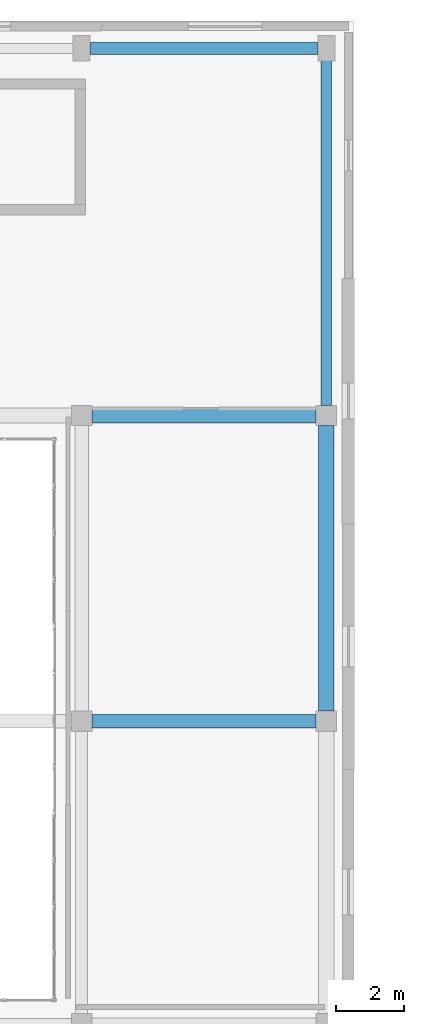
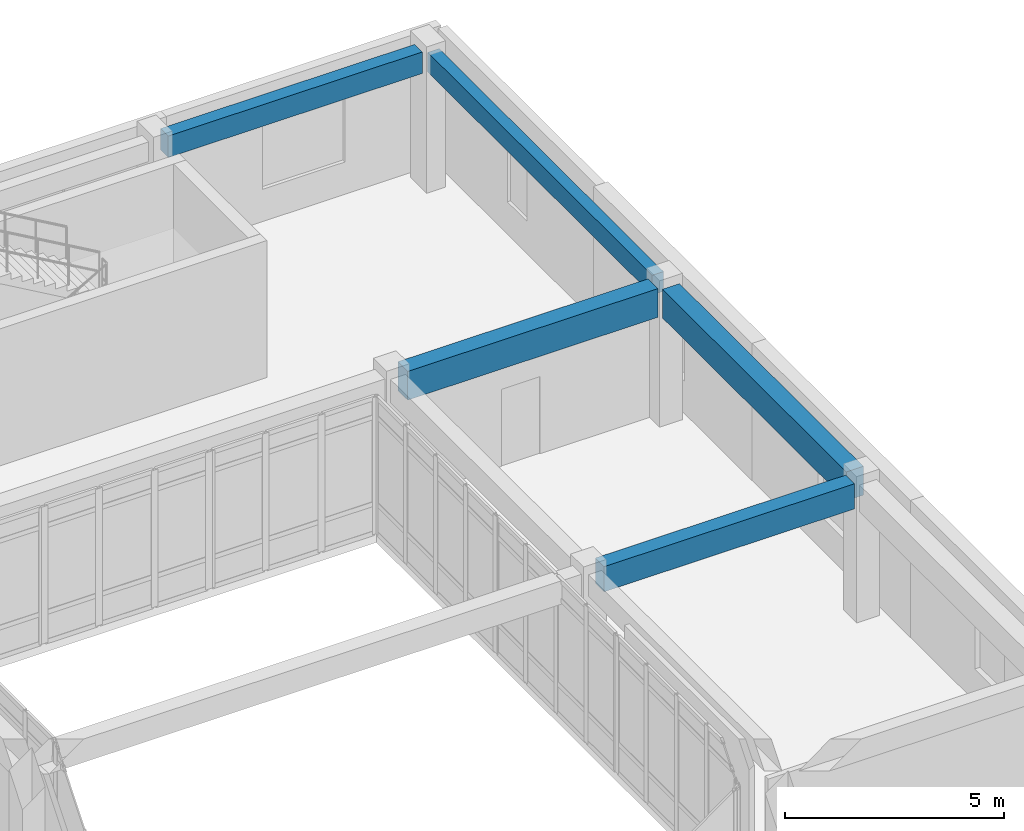
# One storey, part 110 of 146: 5 beams.
"""IFC4 building model written with IfcOpenShell, lengths in metres."""

import ifcopenshell
import ifcopenshell.guid

model = None  # the IFC model being written
_history = None  # IfcOwnerHistory: only IFC2X3 demands one
_inside = {}  # id of a spatial element -> (the spatial element, [elements in it])
_under = {}  # id of a project, library or spatial element -> (it, [spatial elements below it])
_declared = {}  # id of a project -> (the project, [libraries it declares])
_typed = {}  # id of a type object -> (the type object, [elements of that type])
_made_of = {}  # id of a material, layer set ... -> (it, [elements and type objects made of it])


def new_model(schema):
    """Start an empty IFC model of exactly this schema.

    Asked for "IFC4X3", IfcOpenShell would pick the latest addendum, in which some entities
    have other attributes; the version numbers below select the first issue.
    IFC2X3 requires an IfcOwnerHistory on every rooted entity: one is made here for all.
    """
    global model, _history
    if schema == "IFC4X3":
        model = ifcopenshell.file(schema_version=(4, 3, 0, 0))
    else:
        model = ifcopenshell.file(schema=schema)
    _inside.clear()
    _under.clear()
    _declared.clear()
    _typed.clear()
    _made_of.clear()
    _history = None
    if model.schema == "IFC2X3":
        org = make("IfcOrganization", Name="unknown")
        user = make(
            "IfcPersonAndOrganization",
            ThePerson=make("IfcPerson", FamilyName="unknown"),
            TheOrganization=org,
        )
        app = make(
            "IfcApplication",
            ApplicationDeveloper=org,
            Version="unknown",
            ApplicationFullName="unknown",
            ApplicationIdentifier="unknown",
        )
        _history = make(
            "IfcOwnerHistory",
            OwningUser=user,
            OwningApplication=app,
            ChangeAction="ADDED",
            CreationDate=0,
        )
    return model


def make(cls, **values):
    """One entity of the class cls with the attributes given. An attribute that is None is left unset."""
    return model.create_entity(
        cls, **{name: value for name, value in values.items() if value is not None}
    )


def rooted(cls, **values):
    """An entity with a GlobalId (a new one), such as an element, a storey or a relation."""
    return make(cls, GlobalId=ifcopenshell.guid.new(), OwnerHistory=_history, **values)


def si_unit(unit_type, name, prefix=None):
    """IfcSIUnit, for example si_unit("LENGTHUNIT", "METRE", prefix="MILLI")."""
    return make("IfcSIUnit", UnitType=unit_type, Prefix=prefix, Name=name)


def assignment(units):
    """IfcUnitAssignment: the units of a project."""
    return None if units is None else make("IfcUnitAssignment", Units=units)


def point(xyz):
    """IfcCartesianPoint."""
    return None if xyz is None else make("IfcCartesianPoint", Coordinates=xyz)


def direction(xyz):
    """IfcDirection."""
    return None if xyz is None else make("IfcDirection", DirectionRatios=xyz)


def frame(location, z_axis=None, x_axis=None):
    """IfcAxis2Placement3D, a coordinate frame: its origin and axes. An axis left out is left unset."""
    return make(
        "IfcAxis2Placement3D",
        Location=point(location),
        Axis=direction(z_axis),
        RefDirection=direction(x_axis),
    )


def frame_2d(location, x_axis=None):
    """IfcAxis2Placement2D, a coordinate frame in the plane: its origin and x axis."""
    return make(
        "IfcAxis2Placement2D", Location=point(location), RefDirection=direction(x_axis)
    )


def origin():
    """The frame at (0, 0, 0) with its axes left unset."""
    return frame((0.0, 0.0, 0.0))


def origin_2d():
    """The frame at (0, 0) in the plane with its x axis left unset."""
    return frame_2d((0.0, 0.0))


def place(relative_to, where):
    """IfcLocalPlacement: puts the frame where relative to a parent placement (None: the world)."""
    return make(
        "IfcLocalPlacement", PlacementRelTo=relative_to, RelativePlacement=where
    )


def context(
    kind, dimensions, precision=None, world=None, true_north=None, identifier=None
):
    """IfcGeometricRepresentationContext, for example the 3D "Model" context."""
    return make(
        "IfcGeometricRepresentationContext",
        ContextIdentifier=identifier,
        ContextType=kind,
        CoordinateSpaceDimension=dimensions,
        Precision=precision,
        WorldCoordinateSystem=world,
        TrueNorth=true_north,
    )


def subcontext(parent, identifier, kind, view, scale=None):
    """IfcGeometricRepresentationSubContext, for example "Body" below "Model"."""
    return make(
        "IfcGeometricRepresentationSubContext",
        ContextIdentifier=identifier,
        ContextType=kind,
        ParentContext=parent,
        TargetScale=scale,
        TargetView=view,
    )


def project(units=None, contexts=None):
    """IfcProject with its units and contexts."""
    return rooted(
        "IfcProject",
        Name="project",
        RepresentationContexts=contexts,
        UnitsInContext=assignment(units),
    )


def spatial(cls, under=None, at=None, **own):
    """A site, building, storey or space (cls), placed at a placement, below another one or the project."""
    s = rooted(cls, ObjectPlacement=at, **own)
    if under is not None:
        _under.setdefault(under.id(), (under, []))[1].append(s)
    return s


def profile(cls, at=None, kind="AREA", **sizes):
    """A parametric profile (cls). Its sizes go by their IFC names, for example OverallWidth=200.0."""
    return make(cls, ProfileType=kind, Position=at, **sizes)


def rectangle(**sizes):
    """IfcRectangleProfileDef."""
    return profile("IfcRectangleProfileDef", **sizes)


def extrude(swept, where, along, depth):
    """IfcExtrudedAreaSolid: the profile swept, set in the frame where, extruded along a direction by depth."""
    return make(
        "IfcExtrudedAreaSolid",
        SweptArea=swept,
        Position=where,
        ExtrudedDirection=direction(along),
        Depth=depth,
    )


def shape(context_of_items, identifier, shape_type, items):
    """IfcShapeRepresentation: the items that make up one representation, for example the "Body"."""
    return make(
        "IfcShapeRepresentation",
        ContextOfItems=context_of_items,
        RepresentationIdentifier=identifier,
        RepresentationType=shape_type,
        Items=items,
    )


def material(Name=None, Category=None):
    """IfcMaterial."""
    return make("IfcMaterial", Name=Name, Category=Category)


def material_profile(
    of_material, cross_section, Name=None, Category=None, Priority=None
):
    """IfcMaterialProfile: a cross section and its material."""
    return make(
        "IfcMaterialProfile",
        Name=Name,
        Material=of_material,
        Profile=cross_section,
        Priority=Priority,
        Category=Category,
    )


def profile_set(profiles, Name=None, composite=None):
    """IfcMaterialProfileSet."""
    return make(
        "IfcMaterialProfileSet",
        Name=Name,
        MaterialProfiles=profiles,
        CompositeProfile=composite,
    )


def made_of(thing, what):
    """Note that an element or type object is made of a material, layer set ...; save() writes the relation."""
    if what is not None:
        _made_of.setdefault(what.id(), (what, []))[1].append(thing)
    return thing


def type_object(cls, material=None, **own):
    """A type object (cls), such as IfcWallType, which elements share."""
    return made_of(rooted(cls, **own), material)


def element(
    cls,
    number,
    at=None,
    inside=None,
    cuts=None,
    type_object=None,
    material=None,
    context=None,
    identifier="Body",
    shape_type=None,
    held_by="IfcProductDefinitionShape",
    body=None,
    shapes=None,
    **own,
):
    """One element of the class cls, such as IfcWall. Its Tag is "e" and its number.

    at: its placement. inside: the storey or other place that contains it. cuts: it is an
    opening in that element (IfcRelVoidsElement). A single representation is given by context,
    identifier, shape_type and body (its items); several are given by shapes. held_by: the class
    of the entity that holds the representations. save() writes the other relations.
    """
    e = rooted(cls, Tag="e%d" % number, ObjectPlacement=at, **own)
    if body is not None:
        shapes = [shape(context, identifier, shape_type, body)]
    if shapes is not None:
        e.Representation = make(held_by, Representations=shapes)
    if inside is not None:
        _inside.setdefault(inside.id(), (inside, []))[1].append(e)
    if cuts is not None:
        rooted(
            "IfcRelVoidsElement", RelatingBuildingElement=cuts, RelatedOpeningElement=e
        )
    if type_object is not None:
        _typed.setdefault(type_object.id(), (type_object, []))[1].append(e)
    return made_of(e, material)


def aggregate(whole, parts):
    """IfcRelAggregates: a whole, such as a stair, and the parts it consists of."""
    return rooted("IfcRelAggregates", RelatingObject=whole, RelatedObjects=parts)


def save(model, path):
    """Write the relations noted so far, then the file.

    IfcRelAggregates (storeys below a building ...), IfcRelContainedInSpatialStructure (elements
    in a storey), IfcRelDefinesByType, IfcRelAssociatesMaterial and IfcRelDeclares: one each for
    every whole, place, type object, material and project.
    """
    for whole, parts in _under.values():
        aggregate(whole, parts)
    for where, things in _inside.values():
        rooted(
            "IfcRelContainedInSpatialStructure",
            RelatedElements=things,
            RelatingStructure=where,
        )
    for kind, things in _typed.values():
        rooted("IfcRelDefinesByType", RelatedObjects=things, RelatingType=kind)
    for what, things in _made_of.values():
        rooted("IfcRelAssociatesMaterial", RelatedObjects=things, RelatingMaterial=what)
    for by, libraries in _declared.values():
        rooted("IfcRelDeclares", RelatingContext=by, RelatedDefinitions=libraries)
    model.write(path)


model = new_model("IFC4")

# Units and contexts
model_context = context("Model", 3, precision=1e-05, world=origin(), true_north=direction((0.0, 1.0)))
body_context = subcontext(model_context, "Body", "Model", "MODEL_VIEW")
ifc_project = project(units=[si_unit("LENGTHUNIT", "METRE"), si_unit("AREAUNIT", "SQUARE_METRE"), si_unit("VOLUMEUNIT", "CUBIC_METRE"), si_unit("PLANEANGLEUNIT", "RADIAN"), si_unit("MASSUNIT", "GRAM", prefix="KILO")], contexts=[model_context])

# Site, building, storey
site_placement = place(None, origin())
site = spatial("IfcSite", under=ifc_project, at=site_placement, CompositionType="ELEMENT")
building_placement = place(site_placement, origin())
building = spatial("IfcBuilding", under=site, at=building_placement, Name="Valcora Specialist Clinic", CompositionType="ELEMENT")
storey_placement = place(building_placement, frame((0.0, 0.0, 9.52001953125)))
storey = spatial("IfcBuildingStorey", under=building, at=storey_placement, Name="L02", CompositionType="ELEMENT", Elevation=9.52001953125)

# Beams
ifc_material = material(Name="Concrete C40/50", Category="concrete")
ifc_material_profile_1 = material_profile(ifc_material, rectangle(XDim=0.300048828125, YDim=0.550048828125, at=origin_2d()), Name="RC-BM-300X550")
ifc_profile_set_1 = profile_set([ifc_material_profile_1], Name="Concrete C40/50")
beam_type_1 = type_object("IfcBeamType", Name="TY-BM-RC300X550", PredefinedType="BEAM", material=ifc_profile_set_1)
beam_1_placement = place(storey_placement, frame((133.199951171875, 99.5, 3.544921875), z_axis=(0.0, 1.0, 0.0), x_axis=(-1.0, 0.0, 0.0)))
element("IfcBeam", 1, at=beam_1_placement, inside=storey, type_object=beam_type_1, Name="Beam BM-L02-0767", PredefinedType="BEAM", context=body_context, shape_type="SweptSolid", body=[
    extrude(rectangle(XDim=0.300048828125, YDim=0.550048828125, at=origin_2d()), origin(), (0.0, 0.0, 1.0), 10.25),
])
ifc_material_profile_2 = material_profile(ifc_material, rectangle(XDim=0.35009765625, YDim=0.60009765625, at=origin_2d()), Name="RC-BM-350X600")
ifc_profile_set_2 = profile_set([ifc_material_profile_2], Name="Concrete C40/50")
beam_type_2 = type_object("IfcBeamType", Name="TY-BM-RC350X600", PredefinedType="BEAM", material=ifc_profile_set_2)
beam_2_placement = place(storey_placement, frame((126.25, 110.0, 3.52001953125), z_axis=(1.0, 0.0, 0.0), x_axis=(0.0, 1.0, 0.0)))
element("IfcBeam", 2, at=beam_2_placement, inside=storey, type_object=beam_type_2, Name="Beam BM-L02-0734", PredefinedType="BEAM", context=body_context, shape_type="SweptSolid", body=[
    extrude(rectangle(XDim=0.35009765625, YDim=0.60009765625, at=origin_2d()), origin(), (0.0, 0.0, 1.0), 6.699951171875),
])
ifc_material_profile_3 = material_profile(ifc_material, rectangle(XDim=0.39990234375, YDim=0.699951171875, at=origin_2d()), Name="RC-BM-400X700")
ifc_profile_set_3 = profile_set([ifc_material_profile_3], Name="Concrete C40/50")
beam_type_3 = type_object("IfcBeamType", Name="TY-BM-RC400X700", PredefinedType="BEAM", material=ifc_profile_set_3)
beam_3_placement = place(storey_placement, frame((126.300048828125, 90.199951171875, 3.469970703125), z_axis=(1.0, 0.0, 0.0), x_axis=(0.0, 1.0, 0.0)))
element("IfcBeam", 3, at=beam_3_placement, inside=storey, type_object=beam_type_3, Name="Beam BM-L02-0718", PredefinedType="BEAM", context=body_context, shape_type="SweptSolid", body=[
    extrude(rectangle(XDim=0.39990234375, YDim=0.699951171875, at=origin_2d()), origin(), (0.0, 0.0, 1.0), 6.599853515625),
])
ifc_material_profile_4 = material_profile(ifc_material, rectangle(XDim=0.449951171875, YDim=0.800048828125, at=origin_2d()), Name="RC-BM-450X800")
ifc_profile_set_4 = profile_set([ifc_material_profile_4], Name="Concrete C40/50")
beam_type_4 = type_object("IfcBeamType", Name="TY-BM-RC450X800", PredefinedType="BEAM", material=ifc_profile_set_4)
beam_4_placement = place(storey_placement, frame((126.300048828125, 99.199951171875, 3.419921875), z_axis=(1.0, 0.0, 0.0), x_axis=(0.0, 1.0, 0.0)))
element("IfcBeam", 4, at=beam_4_placement, inside=storey, type_object=beam_type_4, Name="Beam BM-L02-0726", PredefinedType="BEAM", context=body_context, shape_type="SweptSolid", body=[
    extrude(rectangle(XDim=0.449951171875, YDim=0.800048828125, at=origin_2d()), origin(), (0.0, 0.0, 1.0), 6.599853515625),
])
beam_5_placement = place(storey_placement, frame((133.199951171875, 90.5, 3.419921875), z_axis=(0.0, 1.0, 0.0), x_axis=(-1.0, 0.0, 0.0)))
element("IfcBeam", 5, at=beam_5_placement, inside=storey, type_object=beam_type_4, Name="Beam BM-L02-0766", PredefinedType="BEAM", context=body_context, shape_type="SweptSolid", body=[
    extrude(rectangle(XDim=0.449951171875, YDim=0.800048828125, at=origin_2d()), origin(), (0.0, 0.0, 1.0), 8.39990234375),
])

save(model, "model.ifc")
